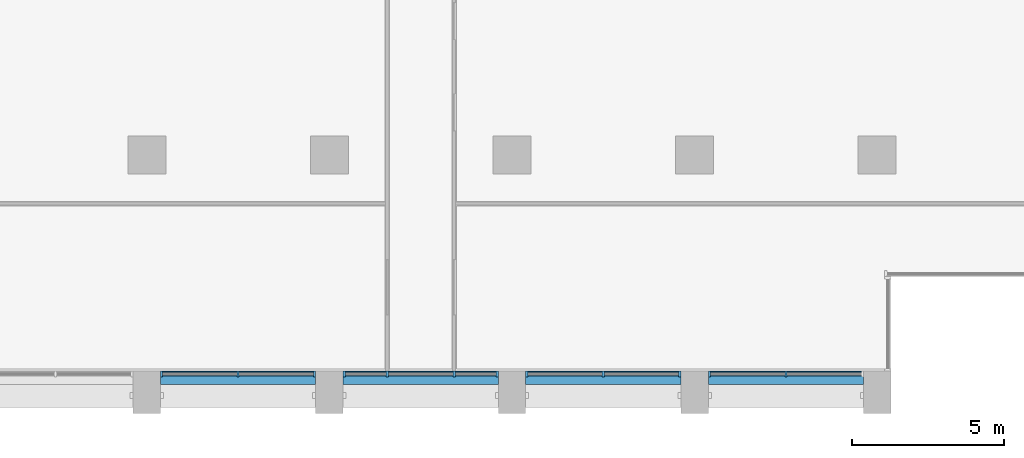
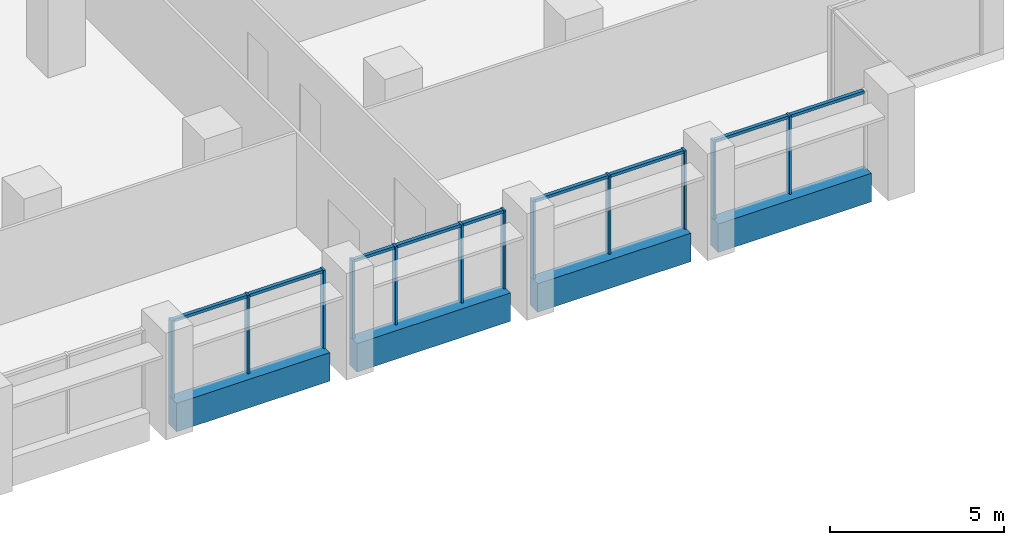
# One storey, part 3 of 16: 21 members, 4 beams, 4 elements without a shape of their own.
"""IFC4 building model written with IfcOpenShell, lengths in metres."""

import ifcopenshell
import ifcopenshell.guid

model = None  # the IFC model being written
_history = None  # IfcOwnerHistory: only IFC2X3 demands one
_inside = {}  # id of a spatial element -> (the spatial element, [elements in it])
_under = {}  # id of a project, library or spatial element -> (it, [spatial elements below it])
_declared = {}  # id of a project -> (the project, [libraries it declares])
_typed = {}  # id of a type object -> (the type object, [elements of that type])
_made_of = {}  # id of a material, layer set ... -> (it, [elements and type objects made of it])


def new_model(schema):
    """Start an empty IFC model of exactly this schema.

    Asked for "IFC4X3", IfcOpenShell would pick the latest addendum, in which some entities
    have other attributes; the version numbers below select the first issue.
    IFC2X3 requires an IfcOwnerHistory on every rooted entity: one is made here for all.
    """
    global model, _history
    if schema == "IFC4X3":
        model = ifcopenshell.file(schema_version=(4, 3, 0, 0))
    else:
        model = ifcopenshell.file(schema=schema)
    _inside.clear()
    _under.clear()
    _declared.clear()
    _typed.clear()
    _made_of.clear()
    _history = None
    if model.schema == "IFC2X3":
        org = make("IfcOrganization", Name="unknown")
        user = make(
            "IfcPersonAndOrganization",
            ThePerson=make("IfcPerson", FamilyName="unknown"),
            TheOrganization=org,
        )
        app = make(
            "IfcApplication",
            ApplicationDeveloper=org,
            Version="unknown",
            ApplicationFullName="unknown",
            ApplicationIdentifier="unknown",
        )
        _history = make(
            "IfcOwnerHistory",
            OwningUser=user,
            OwningApplication=app,
            ChangeAction="ADDED",
            CreationDate=0,
        )
    return model


def make(cls, **values):
    """One entity of the class cls with the attributes given. An attribute that is None is left unset."""
    return model.create_entity(
        cls, **{name: value for name, value in values.items() if value is not None}
    )


def rooted(cls, **values):
    """An entity with a GlobalId (a new one), such as an element, a storey or a relation."""
    return make(cls, GlobalId=ifcopenshell.guid.new(), OwnerHistory=_history, **values)


def si_unit(unit_type, name, prefix=None):
    """IfcSIUnit, for example si_unit("LENGTHUNIT", "METRE", prefix="MILLI")."""
    return make("IfcSIUnit", UnitType=unit_type, Prefix=prefix, Name=name)


def assignment(units):
    """IfcUnitAssignment: the units of a project."""
    return None if units is None else make("IfcUnitAssignment", Units=units)


def point(xyz):
    """IfcCartesianPoint."""
    return None if xyz is None else make("IfcCartesianPoint", Coordinates=xyz)


def direction(xyz):
    """IfcDirection."""
    return None if xyz is None else make("IfcDirection", DirectionRatios=xyz)


def frame(location, z_axis=None, x_axis=None):
    """IfcAxis2Placement3D, a coordinate frame: its origin and axes. An axis left out is left unset."""
    return make(
        "IfcAxis2Placement3D",
        Location=point(location),
        Axis=direction(z_axis),
        RefDirection=direction(x_axis),
    )


def frame_2d(location, x_axis=None):
    """IfcAxis2Placement2D, a coordinate frame in the plane: its origin and x axis."""
    return make(
        "IfcAxis2Placement2D", Location=point(location), RefDirection=direction(x_axis)
    )


def origin():
    """The frame at (0, 0, 0) with its axes left unset."""
    return frame((0.0, 0.0, 0.0))


def origin_2d():
    """The frame at (0, 0) in the plane with its x axis left unset."""
    return frame_2d((0.0, 0.0))


def place(relative_to, where):
    """IfcLocalPlacement: puts the frame where relative to a parent placement (None: the world)."""
    return make(
        "IfcLocalPlacement", PlacementRelTo=relative_to, RelativePlacement=where
    )


def context(
    kind, dimensions, precision=None, world=None, true_north=None, identifier=None
):
    """IfcGeometricRepresentationContext, for example the 3D "Model" context."""
    return make(
        "IfcGeometricRepresentationContext",
        ContextIdentifier=identifier,
        ContextType=kind,
        CoordinateSpaceDimension=dimensions,
        Precision=precision,
        WorldCoordinateSystem=world,
        TrueNorth=true_north,
    )


def subcontext(parent, identifier, kind, view, scale=None):
    """IfcGeometricRepresentationSubContext, for example "Body" below "Model"."""
    return make(
        "IfcGeometricRepresentationSubContext",
        ContextIdentifier=identifier,
        ContextType=kind,
        ParentContext=parent,
        TargetScale=scale,
        TargetView=view,
    )


def project(units=None, contexts=None):
    """IfcProject with its units and contexts."""
    return rooted(
        "IfcProject",
        Name="project",
        RepresentationContexts=contexts,
        UnitsInContext=assignment(units),
    )


def spatial(cls, under=None, at=None, **own):
    """A site, building, storey or space (cls), placed at a placement, below another one or the project."""
    s = rooted(cls, ObjectPlacement=at, **own)
    if under is not None:
        _under.setdefault(under.id(), (under, []))[1].append(s)
    return s


def profile(cls, at=None, kind="AREA", **sizes):
    """A parametric profile (cls). Its sizes go by their IFC names, for example OverallWidth=200.0."""
    return make(cls, ProfileType=kind, Position=at, **sizes)


def rectangle(**sizes):
    """IfcRectangleProfileDef."""
    return profile("IfcRectangleProfileDef", **sizes)


def extrude(swept, where, along, depth):
    """IfcExtrudedAreaSolid: the profile swept, set in the frame where, extruded along a direction by depth."""
    return make(
        "IfcExtrudedAreaSolid",
        SweptArea=swept,
        Position=where,
        ExtrudedDirection=direction(along),
        Depth=depth,
    )


def shape(context_of_items, identifier, shape_type, items):
    """IfcShapeRepresentation: the items that make up one representation, for example the "Body"."""
    return make(
        "IfcShapeRepresentation",
        ContextOfItems=context_of_items,
        RepresentationIdentifier=identifier,
        RepresentationType=shape_type,
        Items=items,
    )


def material(Name=None, Category=None):
    """IfcMaterial."""
    return make("IfcMaterial", Name=Name, Category=Category)


def material_profile(
    of_material, cross_section, Name=None, Category=None, Priority=None
):
    """IfcMaterialProfile: a cross section and its material."""
    return make(
        "IfcMaterialProfile",
        Name=Name,
        Material=of_material,
        Profile=cross_section,
        Priority=Priority,
        Category=Category,
    )


def profile_set(profiles, Name=None, composite=None):
    """IfcMaterialProfileSet."""
    return make(
        "IfcMaterialProfileSet",
        Name=Name,
        MaterialProfiles=profiles,
        CompositeProfile=composite,
    )


def made_of(thing, what):
    """Note that an element or type object is made of a material, layer set ...; save() writes the relation."""
    if what is not None:
        _made_of.setdefault(what.id(), (what, []))[1].append(thing)
    return thing


def type_object(cls, material=None, **own):
    """A type object (cls), such as IfcWallType, which elements share."""
    return made_of(rooted(cls, **own), material)


def element(
    cls,
    number,
    at=None,
    inside=None,
    cuts=None,
    type_object=None,
    material=None,
    context=None,
    identifier="Body",
    shape_type=None,
    held_by="IfcProductDefinitionShape",
    body=None,
    shapes=None,
    **own,
):
    """One element of the class cls, such as IfcWall. Its Tag is "e" and its number.

    at: its placement. inside: the storey or other place that contains it. cuts: it is an
    opening in that element (IfcRelVoidsElement). A single representation is given by context,
    identifier, shape_type and body (its items); several are given by shapes. held_by: the class
    of the entity that holds the representations. save() writes the other relations.
    """
    e = rooted(cls, Tag="e%d" % number, ObjectPlacement=at, **own)
    if body is not None:
        shapes = [shape(context, identifier, shape_type, body)]
    if shapes is not None:
        e.Representation = make(held_by, Representations=shapes)
    if inside is not None:
        _inside.setdefault(inside.id(), (inside, []))[1].append(e)
    if cuts is not None:
        rooted(
            "IfcRelVoidsElement", RelatingBuildingElement=cuts, RelatedOpeningElement=e
        )
    if type_object is not None:
        _typed.setdefault(type_object.id(), (type_object, []))[1].append(e)
    return made_of(e, material)


def aggregate(whole, parts):
    """IfcRelAggregates: a whole, such as a stair, and the parts it consists of."""
    return rooted("IfcRelAggregates", RelatingObject=whole, RelatedObjects=parts)


def save(model, path):
    """Write the relations noted so far, then the file.

    IfcRelAggregates (storeys below a building ...), IfcRelContainedInSpatialStructure (elements
    in a storey), IfcRelDefinesByType, IfcRelAssociatesMaterial and IfcRelDeclares: one each for
    every whole, place, type object, material and project.
    """
    for whole, parts in _under.values():
        aggregate(whole, parts)
    for where, things in _inside.values():
        rooted(
            "IfcRelContainedInSpatialStructure",
            RelatedElements=things,
            RelatingStructure=where,
        )
    for kind, things in _typed.values():
        rooted("IfcRelDefinesByType", RelatedObjects=things, RelatingType=kind)
    for what, things in _made_of.values():
        rooted("IfcRelAssociatesMaterial", RelatedObjects=things, RelatingMaterial=what)
    for by, libraries in _declared.values():
        rooted("IfcRelDeclares", RelatingContext=by, RelatedDefinitions=libraries)
    model.write(path)


model = new_model("IFC4")

# Units and contexts
model_context = context("Model", 3, precision=1e-05, world=origin(), true_north=direction((0.0, 1.0)))
body_context = subcontext(model_context, "Body", "Model", "MODEL_VIEW")
ifc_project = project(units=[si_unit("LENGTHUNIT", "METRE"), si_unit("AREAUNIT", "SQUARE_METRE"), si_unit("VOLUMEUNIT", "CUBIC_METRE"), si_unit("PLANEANGLEUNIT", "RADIAN"), si_unit("MASSUNIT", "GRAM", prefix="KILO")], contexts=[model_context])

# Site, building, storey
site_placement = place(None, origin())
site = spatial("IfcSite", under=ifc_project, at=site_placement, CompositionType="ELEMENT")
building_placement = place(site_placement, origin())
building = spatial("IfcBuilding", under=site, at=building_placement, Name="Calvaro Tower", CompositionType="ELEMENT")
storey_placement = place(building_placement, frame((0.0, 0.0, 140.0)))
storey = spatial("IfcBuildingStorey", under=building, at=storey_placement, Name="L35", CompositionType="ELEMENT", Elevation=140.0)

# Curtain wall, members
ifc_material_1 = material(Name="Anodised aluminium", Category="aluminium")
curtain_wall_type = type_object("IfcCurtainWallType", Name="Office curtain wall, middle zone", PredefinedType="NOTDEFINED", material=ifc_material_1)
curtain_wall_1_placement = place(storey_placement, origin())
curtain_wall_1 = element("IfcCurtainWall", 1, at=curtain_wall_1_placement, inside=storey, type_object=curtain_wall_type, Name="CW2 south curtain wall", PredefinedType="NOTDEFINED")
ifc_material_2 = material(Name="Anodised aluminium", Category="aluminium")
ifc_material_profile_1 = material_profile(ifc_material_2, rectangle(XDim=0.199951171875, YDim=0.070068359375, at=origin_2d()), Name="Mullion S2 70 x 200")
ifc_profile_set_1 = profile_set([ifc_material_profile_1], Name="Anodised aluminium")
member_type_1 = type_object("IfcMemberType", Name="Mullion S2 70 x 200", PredefinedType="MULLION", material=ifc_profile_set_1)
member_1_placement = place(storey_placement, frame((42.485107421875, 2.800048828125, 0.0), z_axis=(0.0, 0.0, 1.0), x_axis=(0.0, 1.0, 0.0)))
member_1 = element("IfcMember", 2, at=member_1_placement, type_object=member_type_1, Name="CW2 mullion 1", PredefinedType="MULLION", context=body_context, shape_type="SweptSolid", body=[
    extrude(rectangle(XDim=0.199951171875, YDim=0.070068359375, at=origin_2d()), origin(), (0.0, 0.0, 1.0), 2.75),
])
member_2_placement = place(storey_placement, frame((45.0, 2.800048828125, 0.0), z_axis=(0.0, 0.0, 1.0), x_axis=(0.0, 1.0, 0.0)))
member_2 = element("IfcMember", 3, at=member_2_placement, type_object=member_type_1, Name="CW2 mullion 2", PredefinedType="MULLION", context=body_context, shape_type="SweptSolid", body=[
    extrude(rectangle(XDim=0.199951171875, YDim=0.070068359375, at=origin_2d()), origin(), (0.0, 0.0, 1.0), 2.75),
])
member_3_placement = place(storey_placement, frame((47.514892578125, 2.800048828125, 0.0), z_axis=(0.0, 0.0, 1.0), x_axis=(0.0, 1.0, 0.0)))
member_3 = element("IfcMember", 4, at=member_3_placement, type_object=member_type_1, Name="CW2 mullion 3", PredefinedType="MULLION", context=body_context, shape_type="SweptSolid", body=[
    extrude(rectangle(XDim=0.199951171875, YDim=0.070068359375, at=origin_2d()), origin(), (0.0, 0.0, 1.0), 2.75),
])

curtain_wall_2_placement = place(storey_placement, origin())
curtain_wall_2 = element("IfcCurtainWall", 5, at=curtain_wall_2_placement, inside=storey, type_object=curtain_wall_type, Name="CW2 south curtain wall", PredefinedType="NOTDEFINED")
member_4_placement = place(storey_placement, frame((48.485107421875, 2.800048828125, 0.0), z_axis=(0.0, 0.0, 1.0), x_axis=(0.0, 1.0, 0.0)))
member_4 = element("IfcMember", 6, at=member_4_placement, type_object=member_type_1, Name="CW2 mullion 1", PredefinedType="MULLION", context=body_context, shape_type="SweptSolid", body=[
    extrude(rectangle(XDim=0.199951171875, YDim=0.070068359375, at=origin_2d()), origin(), (0.0, 0.0, 1.0), 2.75),
])
member_5_placement = place(storey_placement, frame((49.89990234375, 2.800048828125, 0.0), z_axis=(0.0, 0.0, 1.0), x_axis=(0.0, 1.0, 0.0)))
member_5 = element("IfcMember", 7, at=member_5_placement, type_object=member_type_1, Name="CW2 mullion 2", PredefinedType="MULLION", context=body_context, shape_type="SweptSolid", body=[
    extrude(rectangle(XDim=0.199951171875, YDim=0.070068359375, at=origin_2d()), origin(), (0.0, 0.0, 1.0), 2.75),
])
member_6_placement = place(storey_placement, frame((52.10009765625, 2.800048828125, 0.0), z_axis=(0.0, 0.0, 1.0), x_axis=(0.0, 1.0, 0.0)))
member_6 = element("IfcMember", 8, at=member_6_placement, type_object=member_type_1, Name="CW2 mullion 3", PredefinedType="MULLION", context=body_context, shape_type="SweptSolid", body=[
    extrude(rectangle(XDim=0.199951171875, YDim=0.070068359375, at=origin_2d()), origin(), (0.0, 0.0, 1.0), 2.75),
])
member_7_placement = place(storey_placement, frame((53.514892578125, 2.800048828125, 0.0), z_axis=(0.0, 0.0, 1.0), x_axis=(0.0, 1.0, 0.0)))
member_7 = element("IfcMember", 9, at=member_7_placement, type_object=member_type_1, Name="CW2 mullion 4", PredefinedType="MULLION", context=body_context, shape_type="SweptSolid", body=[
    extrude(rectangle(XDim=0.199951171875, YDim=0.070068359375, at=origin_2d()), origin(), (0.0, 0.0, 1.0), 2.75),
])

curtain_wall_3_placement = place(storey_placement, origin())
curtain_wall_3 = element("IfcCurtainWall", 10, at=curtain_wall_3_placement, inside=storey, type_object=curtain_wall_type, Name="CW2 south curtain wall", PredefinedType="NOTDEFINED")
member_8_placement = place(storey_placement, frame((54.485107421875, 2.800048828125, 0.0), z_axis=(0.0, 0.0, 1.0), x_axis=(0.0, 1.0, 0.0)))
member_8 = element("IfcMember", 11, at=member_8_placement, type_object=member_type_1, Name="CW2 mullion 1", PredefinedType="MULLION", context=body_context, shape_type="SweptSolid", body=[
    extrude(rectangle(XDim=0.199951171875, YDim=0.070068359375, at=origin_2d()), origin(), (0.0, 0.0, 1.0), 2.75),
])
member_9_placement = place(storey_placement, frame((57.0, 2.800048828125, 0.0), z_axis=(0.0, 0.0, 1.0), x_axis=(0.0, 1.0, 0.0)))
member_9 = element("IfcMember", 12, at=member_9_placement, type_object=member_type_1, Name="CW2 mullion 2", PredefinedType="MULLION", context=body_context, shape_type="SweptSolid", body=[
    extrude(rectangle(XDim=0.199951171875, YDim=0.070068359375, at=origin_2d()), origin(), (0.0, 0.0, 1.0), 2.75),
])
member_10_placement = place(storey_placement, frame((59.514892578125, 2.800048828125, 0.0), z_axis=(0.0, 0.0, 1.0), x_axis=(0.0, 1.0, 0.0)))
member_10 = element("IfcMember", 13, at=member_10_placement, type_object=member_type_1, Name="CW2 mullion 3", PredefinedType="MULLION", context=body_context, shape_type="SweptSolid", body=[
    extrude(rectangle(XDim=0.199951171875, YDim=0.070068359375, at=origin_2d()), origin(), (0.0, 0.0, 1.0), 2.75),
])

curtain_wall_4_placement = place(storey_placement, origin())
curtain_wall_4 = element("IfcCurtainWall", 14, at=curtain_wall_4_placement, inside=storey, type_object=curtain_wall_type, Name="CW2 south curtain wall", PredefinedType="NOTDEFINED")
member_11_placement = place(storey_placement, frame((60.485107421875, 2.800048828125, 0.0), z_axis=(0.0, 0.0, 1.0), x_axis=(0.0, 1.0, 0.0)))
member_11 = element("IfcMember", 15, at=member_11_placement, type_object=member_type_1, Name="CW2 mullion 1", PredefinedType="MULLION", context=body_context, shape_type="SweptSolid", body=[
    extrude(rectangle(XDim=0.199951171875, YDim=0.070068359375, at=origin_2d()), origin(), (0.0, 0.0, 1.0), 2.75),
])
member_12_placement = place(storey_placement, frame((63.0, 2.800048828125, 0.0), z_axis=(0.0, 0.0, 1.0), x_axis=(0.0, 1.0, 0.0)))
member_12 = element("IfcMember", 16, at=member_12_placement, type_object=member_type_1, Name="CW2 mullion 2", PredefinedType="MULLION", context=body_context, shape_type="SweptSolid", body=[
    extrude(rectangle(XDim=0.199951171875, YDim=0.070068359375, at=origin_2d()), origin(), (0.0, 0.0, 1.0), 2.75),
])

# Beams
ifc_material_3 = material(Name="Concrete C50/60 precast", Category="concrete")
ifc_material_profile_2 = material_profile(ifc_material_3, rectangle(XDim=0.449951171875, YDim=1.0, at=origin_2d()), Name="RC 450x1000")
ifc_profile_set_2 = profile_set([ifc_material_profile_2], Name="Concrete C50/60 precast")
beam_type = type_object("IfcBeamType", Name="Spandrel beam 450x1000 C50/60", PredefinedType="SPANDREL", material=ifc_profile_set_2)
for number, where, z_axis, x_axis, name in (
    (17, (42.449951171875, 2.675048828125, -0.5), (1.0, 0.0, 0.0), (0.0, 1.0, 0.0), "Spandrel beam"),
    (18, (48.449951171875, 2.675048828125, -0.5), (1.0, 0.0, 0.0), (0.0, 1.0, 0.0), "Spandrel beam"),
    (19, (54.449951171875, 2.675048828125, -0.5), (1.0, 0.0, 0.0), (0.0, 1.0, 0.0), "Spandrel beam"),
    (20, (60.449951171875, 2.675048828125, -0.5), (1.0, 0.0, 0.0), (0.0, 1.0, 0.0), "Spandrel beam"),
):
    element("IfcBeam", number, at=place(storey_placement, frame(where, z_axis=z_axis, x_axis=x_axis)), inside=storey, type_object=beam_type, Name=name, PredefinedType="SPANDREL", context=body_context, shape_type="SweptSolid", body=[
        extrude(rectangle(XDim=0.449951171875, YDim=1.0, at=origin_2d()), origin(), (0.0, 0.0, 1.0), 5.10009765625),
    ])

# Member
ifc_material_4 = material(Name="Anodised aluminium", Category="aluminium")
ifc_material_profile_3 = material_profile(ifc_material_4, rectangle(XDim=0.1201171875, YDim=0.10009765625, at=origin_2d()), Name="Transom S2 100 x 120")
ifc_profile_set_3 = profile_set([ifc_material_profile_3], Name="Anodised aluminium")
member_type_2 = type_object("IfcMemberType", Name="Transom S2 100 x 120", PredefinedType="USERDEFINED", material=ifc_profile_set_3)
member_13_placement = place(storey_placement, frame((42.52001953125, 2.800048828125, 2.699951171875), z_axis=(1.0, 0.0, 0.0), x_axis=(0.0, 1.0, 0.0)))
member_13 = element("IfcMember", 21, at=member_13_placement, type_object=member_type_2, Name="CW2 transom 1.1", ObjectType="TRANSOM", PredefinedType="USERDEFINED", context=body_context, shape_type="SweptSolid", body=[
    extrude(rectangle(XDim=0.1201171875, YDim=0.10009765625, at=origin_2d()), origin(), (0.0, 0.0, 1.0), 2.445068359375),
])

member_14_placement = place(storey_placement, frame((45.034912109375, 2.800048828125, 2.699951171875), z_axis=(1.0, 0.0, 0.0), x_axis=(0.0, 1.0, 0.0)))
member_14 = element("IfcMember", 22, at=member_14_placement, type_object=member_type_2, Name="CW2 transom 2.1", ObjectType="TRANSOM", PredefinedType="USERDEFINED", context=body_context, shape_type="SweptSolid", body=[
    extrude(rectangle(XDim=0.1201171875, YDim=0.10009765625, at=origin_2d()), origin(), (0.0, 0.0, 1.0), 2.445068359375),
])

aggregate(curtain_wall_1, [member_1, member_2, member_3, member_13, member_14])

member_15_placement = place(storey_placement, frame((48.52001953125, 2.800048828125, 2.699951171875), z_axis=(1.0, 0.0, 0.0), x_axis=(0.0, 1.0, 0.0)))
member_15 = element("IfcMember", 23, at=member_15_placement, type_object=member_type_2, Name="CW2 transom 1.1", ObjectType="TRANSOM", PredefinedType="USERDEFINED", context=body_context, shape_type="SweptSolid", body=[
    extrude(rectangle(XDim=0.1201171875, YDim=0.10009765625, at=origin_2d()), origin(), (0.0, 0.0, 1.0), 1.344970703125),
])

member_16_placement = place(storey_placement, frame((49.93505859375, 2.800048828125, 2.699951171875), z_axis=(1.0, 0.0, 0.0), x_axis=(0.0, 1.0, 0.0)))
member_16 = element("IfcMember", 24, at=member_16_placement, type_object=member_type_2, Name="CW2 transom 2.1", ObjectType="TRANSOM", PredefinedType="USERDEFINED", context=body_context, shape_type="SweptSolid", body=[
    extrude(rectangle(XDim=0.1201171875, YDim=0.10009765625, at=origin_2d()), origin(), (0.0, 0.0, 1.0), 2.1298828125),
])

member_17_placement = place(storey_placement, frame((52.135009765625, 2.800048828125, 2.699951171875), z_axis=(1.0, 0.0, 0.0), x_axis=(0.0, 1.0, 0.0)))
member_17 = element("IfcMember", 25, at=member_17_placement, type_object=member_type_2, Name="CW2 transom 3.1", ObjectType="TRANSOM", PredefinedType="USERDEFINED", context=body_context, shape_type="SweptSolid", body=[
    extrude(rectangle(XDim=0.1201171875, YDim=0.10009765625, at=origin_2d()), origin(), (0.0, 0.0, 1.0), 1.344970703125),
])

aggregate(curtain_wall_2, [member_4, member_5, member_6, member_7, member_15, member_16, member_17])

member_18_placement = place(storey_placement, frame((54.52001953125, 2.800048828125, 2.699951171875), z_axis=(1.0, 0.0, 0.0), x_axis=(0.0, 1.0, 0.0)))
member_18 = element("IfcMember", 26, at=member_18_placement, type_object=member_type_2, Name="CW2 transom 1.1", ObjectType="TRANSOM", PredefinedType="USERDEFINED", context=body_context, shape_type="SweptSolid", body=[
    extrude(rectangle(XDim=0.1201171875, YDim=0.10009765625, at=origin_2d()), origin(), (0.0, 0.0, 1.0), 2.445068359375),
])

member_19_placement = place(storey_placement, frame((57.034912109375, 2.800048828125, 2.699951171875), z_axis=(1.0, 0.0, 0.0), x_axis=(0.0, 1.0, 0.0)))
member_19 = element("IfcMember", 27, at=member_19_placement, type_object=member_type_2, Name="CW2 transom 2.1", ObjectType="TRANSOM", PredefinedType="USERDEFINED", context=body_context, shape_type="SweptSolid", body=[
    extrude(rectangle(XDim=0.1201171875, YDim=0.10009765625, at=origin_2d()), origin(), (0.0, 0.0, 1.0), 2.445068359375),
])

aggregate(curtain_wall_3, [member_8, member_9, member_10, member_18, member_19])

member_20_placement = place(storey_placement, frame((60.52001953125, 2.800048828125, 2.699951171875), z_axis=(1.0, 0.0, 0.0), x_axis=(0.0, 1.0, 0.0)))
member_20 = element("IfcMember", 28, at=member_20_placement, type_object=member_type_2, Name="CW2 transom 1.1", ObjectType="TRANSOM", PredefinedType="USERDEFINED", context=body_context, shape_type="SweptSolid", body=[
    extrude(rectangle(XDim=0.1201171875, YDim=0.10009765625, at=origin_2d()), origin(), (0.0, 0.0, 1.0), 2.445068359375),
])

member_21_placement = place(storey_placement, frame((63.034912109375, 2.800048828125, 2.699951171875), z_axis=(1.0, 0.0, 0.0), x_axis=(0.0, 1.0, 0.0)))
member_21 = element("IfcMember", 29, at=member_21_placement, type_object=member_type_2, Name="CW2 transom 2.1", ObjectType="TRANSOM", PredefinedType="USERDEFINED", context=body_context, shape_type="SweptSolid", body=[
    extrude(rectangle(XDim=0.1201171875, YDim=0.10009765625, at=origin_2d()), origin(), (0.0, 0.0, 1.0), 2.445068359375),
])

aggregate(curtain_wall_4, [member_11, member_12, member_20, member_21])

save(model, "model.ifc")
